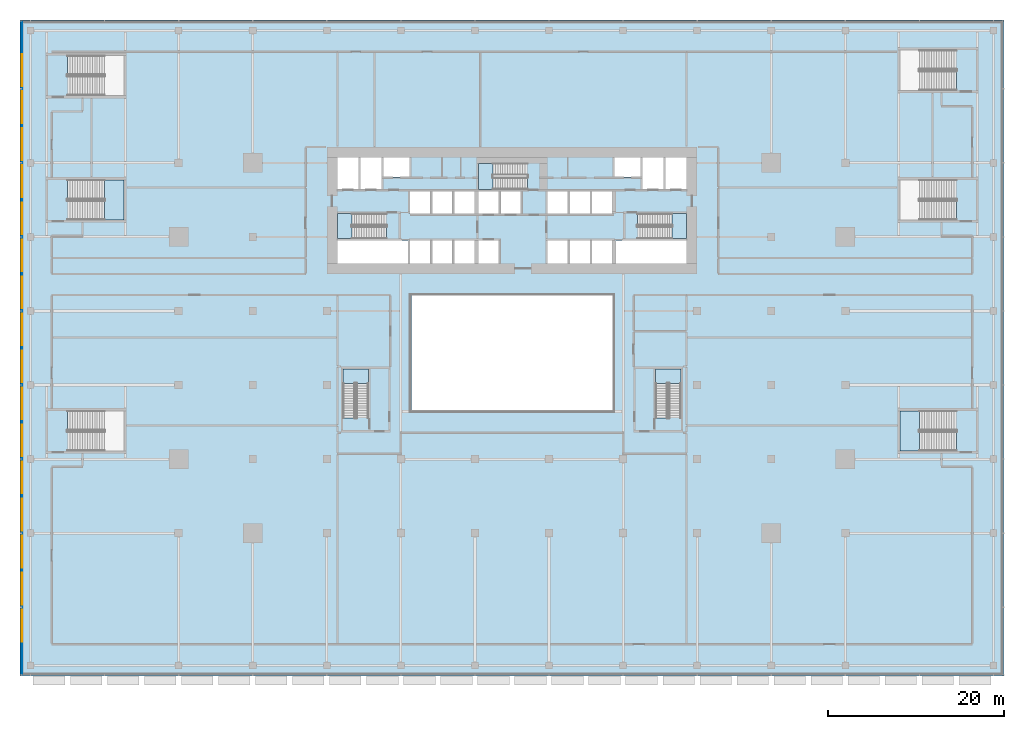
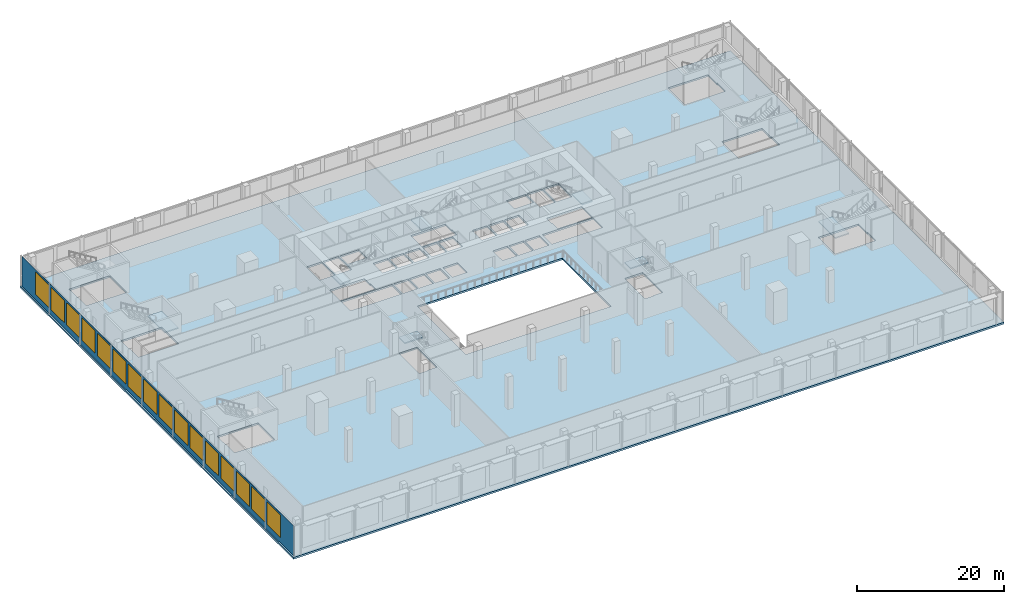
# One storey, part 23 of 39: 16 windows, 8 slabs, 1 plate, 16 openings, 8 elements without a shape of their own.
"""IFC4 building model written with IfcOpenShell, lengths in metres."""

from ifc_helpers import new_model, si_unit, direction, frame, frame_2d, origin, place, context, subcontext, project, spatial, polyline, rectangle, outline, extrude, material, layer, layer_set, type_object, element, fill, aggregate, save


model = new_model("IFC4")

# Units and contexts
model_context = context("Model", 3, precision=1e-05, world=origin(), true_north=direction((0.0, 1.0)))
body_context = subcontext(model_context, "Body", "Model", "MODEL_VIEW")
ifc_project = project(units=[si_unit("LENGTHUNIT", "METRE"), si_unit("AREAUNIT", "SQUARE_METRE"), si_unit("VOLUMEUNIT", "CUBIC_METRE"), si_unit("PLANEANGLEUNIT", "RADIAN"), si_unit("MASSUNIT", "GRAM", prefix="KILO")], contexts=[model_context])

# Site, building, storey
site_placement = place(None, origin())
site = spatial("IfcSite", under=ifc_project, at=site_placement, CompositionType="ELEMENT")
building_placement = place(site_placement, origin())
building = spatial("IfcBuilding", under=site, at=building_placement, Name="Saffron Gate Tower", CompositionType="ELEMENT")
storey_placement = place(building_placement, frame((0.0, 0.0, 9.0)))
storey = spatial("IfcBuildingStorey", under=building, at=storey_placement, Name="L01", CompositionType="ELEMENT", Elevation=9.0)

# Curtain wall, plate, openings, windows
ifc_material_1 = material(Name="Aluminium, bronze anodised", Category="aluminium")
curtain_wall_type = type_object("IfcCurtainWallType", Name="CWS5 curtain wall podium ring base", PredefinedType="NOTDEFINED", material=ifc_material_1)
curtain_wall_placement = place(storey_placement, origin())
curtain_wall = element("IfcCurtainWall", 1, at=curtain_wall_placement, inside=storey, type_object=curtain_wall_type, Name="CWS5 run 4", PredefinedType="NOTDEFINED")
ifc_material_2 = material(Name="Clear low-iron laminated glass", Category="glass")
ifc_layer_1 = layer(ifc_material_2, 0.028076171875)
ifc_layer_set_1 = layer_set([ifc_layer_1], Name="CWS5 fixed glass")
plate_type = type_object("IfcPlateType", Name="CWS5 fixed glass", PredefinedType="CURTAIN_PANEL", material=ifc_layer_set_1)
plate_placement = place(storey_placement, frame((32.013916015625, 89.77197265625, 0.0), z_axis=(0.0, 0.0, 1.0), x_axis=(0.0, -1.0, 0.0)))
plate = element("IfcPlate", 2, at=plate_placement, type_object=plate_type, Name="CWS5 glass panel", PredefinedType="CURTAIN_PANEL", context=body_context, shape_type="SweptSolid", body=[
    extrude(rectangle(XDim=73.944091796875, YDim=0.028076171875, at=frame_2d((36.97216796875, 0.0))), origin(), (0.0, 0.0, 1.0), 4.97998046875),
])
opening_1_placement = place(plate_placement, frame((3.672119140625, 0.0, 0.89990234375)))
opening_1 = element("IfcOpeningElement", 3, at=opening_1_placement, cuts=plate, Name="Opening W6", PredefinedType="OPENING", context=body_context, shape_type="SweptSolid", body=[
    extrude(rectangle(XDim=3.60009765625, YDim=3.72998046875, at=frame_2d((1.800048828125, 1.864990234375))), frame((0.0, 0.02392578125, 0.0), z_axis=(0.0, -1.0, 0.0), x_axis=(1.0, 0.0, 0.0)), (0.0, 0.0, 1.0), 0.048095703125),
])
opening_2_placement = place(plate_placement, frame((7.8720703125, 0.0, 0.89990234375)))
opening_2 = element("IfcOpeningElement", 4, at=opening_2_placement, cuts=plate, Name="Opening W6", PredefinedType="OPENING", context=body_context, shape_type="SweptSolid", body=[
    extrude(rectangle(XDim=3.60009765625, YDim=3.72998046875, at=frame_2d((1.800048828125, 1.864990234375))), frame((0.0, 0.02392578125, 0.0), z_axis=(0.0, -1.0, 0.0), x_axis=(1.0, 0.0, 0.0)), (0.0, 0.0, 1.0), 0.048095703125),
])
opening_3_placement = place(plate_placement, frame((12.072021484375, 0.0, 0.89990234375)))
opening_3 = element("IfcOpeningElement", 5, at=opening_3_placement, cuts=plate, Name="Opening W6", PredefinedType="OPENING", context=body_context, shape_type="SweptSolid", body=[
    extrude(rectangle(XDim=3.60009765625, YDim=3.72998046875, at=frame_2d((1.800048828125, 1.864990234375))), frame((0.0, 0.02392578125, 0.0), z_axis=(0.0, -1.0, 0.0), x_axis=(1.0, 0.0, 0.0)), (0.0, 0.0, 1.0), 0.048095703125),
])
opening_4_placement = place(plate_placement, frame((16.27197265625, 0.0, 0.89990234375)))
opening_4 = element("IfcOpeningElement", 6, at=opening_4_placement, cuts=plate, Name="Opening W6", PredefinedType="OPENING", context=body_context, shape_type="SweptSolid", body=[
    extrude(rectangle(XDim=3.60009765625, YDim=3.72998046875, at=frame_2d((1.800048828125, 1.864990234375))), frame((0.0, 0.02392578125, 0.0), z_axis=(0.0, -1.0, 0.0), x_axis=(1.0, 0.0, 0.0)), (0.0, 0.0, 1.0), 0.048095703125),
])
opening_5_placement = place(plate_placement, frame((20.471923828125, 0.0, 0.89990234375)))
opening_5 = element("IfcOpeningElement", 7, at=opening_5_placement, cuts=plate, Name="Opening W6", PredefinedType="OPENING", context=body_context, shape_type="SweptSolid", body=[
    extrude(rectangle(XDim=3.60009765625, YDim=3.72998046875, at=frame_2d((1.800048828125, 1.864990234375))), frame((0.0, 0.02392578125, 0.0), z_axis=(0.0, -1.0, 0.0), x_axis=(1.0, 0.0, 0.0)), (0.0, 0.0, 1.0), 0.048095703125),
])
opening_6_placement = place(plate_placement, frame((24.672119140625, 0.0, 0.89990234375)))
opening_6 = element("IfcOpeningElement", 8, at=opening_6_placement, cuts=plate, Name="Opening W6", PredefinedType="OPENING", context=body_context, shape_type="SweptSolid", body=[
    extrude(rectangle(XDim=3.60009765625, YDim=3.72998046875, at=frame_2d((1.800048828125, 1.864990234375))), frame((0.0, 0.02392578125, 0.0), z_axis=(0.0, -1.0, 0.0), x_axis=(1.0, 0.0, 0.0)), (0.0, 0.0, 1.0), 0.048095703125),
])
opening_7_placement = place(plate_placement, frame((28.8720703125, 0.0, 0.89990234375)))
opening_7 = element("IfcOpeningElement", 9, at=opening_7_placement, cuts=plate, Name="Opening W6", PredefinedType="OPENING", context=body_context, shape_type="SweptSolid", body=[
    extrude(rectangle(XDim=3.60009765625, YDim=3.72998046875, at=frame_2d((1.800048828125, 1.864990234375))), frame((0.0, 0.02392578125, 0.0), z_axis=(0.0, -1.0, 0.0), x_axis=(1.0, 0.0, 0.0)), (0.0, 0.0, 1.0), 0.048095703125),
])
opening_8_placement = place(plate_placement, frame((33.072021484375, 0.0, 0.89990234375)))
opening_8 = element("IfcOpeningElement", 10, at=opening_8_placement, cuts=plate, Name="Opening W6", PredefinedType="OPENING", context=body_context, shape_type="SweptSolid", body=[
    extrude(rectangle(XDim=3.60009765625, YDim=3.72998046875, at=frame_2d((1.800048828125, 1.864990234375))), frame((0.0, 0.02392578125, 0.0), z_axis=(0.0, -1.0, 0.0), x_axis=(1.0, 0.0, 0.0)), (0.0, 0.0, 1.0), 0.048095703125),
])
opening_9_placement = place(plate_placement, frame((37.27197265625, 0.0, 0.89990234375)))
opening_9 = element("IfcOpeningElement", 11, at=opening_9_placement, cuts=plate, Name="Opening W6", PredefinedType="OPENING", context=body_context, shape_type="SweptSolid", body=[
    extrude(rectangle(XDim=3.60009765625, YDim=3.72998046875, at=frame_2d((1.800048828125, 1.864990234375))), frame((0.0, 0.02392578125, 0.0), z_axis=(0.0, -1.0, 0.0), x_axis=(1.0, 0.0, 0.0)), (0.0, 0.0, 1.0), 0.048095703125),
])
opening_10_placement = place(plate_placement, frame((41.471923828125, 0.0, 0.89990234375)))
opening_10 = element("IfcOpeningElement", 12, at=opening_10_placement, cuts=plate, Name="Opening W6", PredefinedType="OPENING", context=body_context, shape_type="SweptSolid", body=[
    extrude(rectangle(XDim=3.60009765625, YDim=3.72998046875, at=frame_2d((1.800048828125, 1.864990234375))), frame((0.0, 0.02392578125, 0.0), z_axis=(0.0, -1.0, 0.0), x_axis=(1.0, 0.0, 0.0)), (0.0, 0.0, 1.0), 0.048095703125),
])
opening_11_placement = place(plate_placement, frame((45.672119140625, 0.0, 0.89990234375)))
opening_11 = element("IfcOpeningElement", 13, at=opening_11_placement, cuts=plate, Name="Opening W6", PredefinedType="OPENING", context=body_context, shape_type="SweptSolid", body=[
    extrude(rectangle(XDim=3.60009765625, YDim=3.72998046875, at=frame_2d((1.800048828125, 1.864990234375))), frame((0.0, 0.02392578125, 0.0), z_axis=(0.0, -1.0, 0.0), x_axis=(1.0, 0.0, 0.0)), (0.0, 0.0, 1.0), 0.048095703125),
])
opening_12_placement = place(plate_placement, frame((49.8720703125, 0.0, 0.89990234375)))
opening_12 = element("IfcOpeningElement", 14, at=opening_12_placement, cuts=plate, Name="Opening W6", PredefinedType="OPENING", context=body_context, shape_type="SweptSolid", body=[
    extrude(rectangle(XDim=3.60009765625, YDim=3.72998046875, at=frame_2d((1.800048828125, 1.864990234375))), frame((0.0, 0.02392578125, 0.0), z_axis=(0.0, -1.0, 0.0), x_axis=(1.0, 0.0, 0.0)), (0.0, 0.0, 1.0), 0.048095703125),
])
opening_13_placement = place(plate_placement, frame((54.072021484375, 0.0, 0.89990234375)))
opening_13 = element("IfcOpeningElement", 15, at=opening_13_placement, cuts=plate, Name="Opening W6", PredefinedType="OPENING", context=body_context, shape_type="SweptSolid", body=[
    extrude(rectangle(XDim=3.60009765625, YDim=3.72998046875, at=frame_2d((1.800048828125, 1.864990234375))), frame((0.0, 0.02392578125, 0.0), z_axis=(0.0, -1.0, 0.0), x_axis=(1.0, 0.0, 0.0)), (0.0, 0.0, 1.0), 0.048095703125),
])
opening_14_placement = place(plate_placement, frame((58.27197265625, 0.0, 0.89990234375)))
opening_14 = element("IfcOpeningElement", 16, at=opening_14_placement, cuts=plate, Name="Opening W6", PredefinedType="OPENING", context=body_context, shape_type="SweptSolid", body=[
    extrude(rectangle(XDim=3.60009765625, YDim=3.72998046875, at=frame_2d((1.800048828125, 1.864990234375))), frame((0.0, 0.02392578125, 0.0), z_axis=(0.0, -1.0, 0.0), x_axis=(1.0, 0.0, 0.0)), (0.0, 0.0, 1.0), 0.048095703125),
])
opening_15_placement = place(plate_placement, frame((62.471923828125, 0.0, 0.89990234375)))
opening_15 = element("IfcOpeningElement", 17, at=opening_15_placement, cuts=plate, Name="Opening W6", PredefinedType="OPENING", context=body_context, shape_type="SweptSolid", body=[
    extrude(rectangle(XDim=3.60009765625, YDim=3.72998046875, at=frame_2d((1.800048828125, 1.864990234375))), frame((0.0, 0.02392578125, 0.0), z_axis=(0.0, -1.0, 0.0), x_axis=(1.0, 0.0, 0.0)), (0.0, 0.0, 1.0), 0.048095703125),
])
opening_16_placement = place(plate_placement, frame((66.672119140625, 0.0, 0.89990234375)))
opening_16 = element("IfcOpeningElement", 18, at=opening_16_placement, cuts=plate, Name="Opening W6", PredefinedType="OPENING", context=body_context, shape_type="SweptSolid", body=[
    extrude(rectangle(XDim=3.60009765625, YDim=3.72998046875, at=frame_2d((1.800048828125, 1.864990234375))), frame((0.0, 0.02392578125, 0.0), z_axis=(0.0, -1.0, 0.0), x_axis=(1.0, 0.0, 0.0)), (0.0, 0.0, 1.0), 0.048095703125),
])
ifc_material_3 = material(Name="Fritted bronze-tinted laminated glass in bronze frame", Category="glass")
ifc_layer_2 = layer(ifc_material_3, 0.06005859375)
ifc_layer_set_2 = layer_set([ifc_layer_2], Name="W6 operable panel 3600x3730")
window_type = type_object("IfcWindowType", Name="W6 operable panel 3600x3730", PartitioningType="DOUBLE_PANEL_HORIZONTAL", PredefinedType="WINDOW", material=ifc_layer_set_2)
window_1_placement = place(opening_1_placement, origin())
window_1 = element("IfcWindow", 19, at=window_1_placement, type_object=window_type, Name="W6 operable panel", OverallHeight=3.72998046875, OverallWidth=3.60009765625, PartitioningType="SINGLE_PANEL", PredefinedType="WINDOW", context=body_context, shape_type="SweptSolid", body=[
    extrude(rectangle(XDim=3.60009765625, YDim=3.72998046875, at=frame_2d((1.800048828125, 1.864990234375))), frame((0.0, 0.013671875, 0.0), z_axis=(0.0, -1.0, 0.0), x_axis=(1.0, 0.0, 0.0)), (0.0, 0.0, 1.0), 0.027587890625),
])
fill(opening_1, window_1)
window_2_placement = place(opening_2_placement, origin())
window_2 = element("IfcWindow", 20, at=window_2_placement, type_object=window_type, Name="W6 operable panel", OverallHeight=3.72998046875, OverallWidth=3.60009765625, PartitioningType="SINGLE_PANEL", PredefinedType="WINDOW", context=body_context, shape_type="SweptSolid", body=[
    extrude(rectangle(XDim=3.60009765625, YDim=3.72998046875, at=frame_2d((1.800048828125, 1.864990234375))), frame((0.0, 0.013671875, 0.0), z_axis=(0.0, -1.0, 0.0), x_axis=(1.0, 0.0, 0.0)), (0.0, 0.0, 1.0), 0.027587890625),
])
fill(opening_2, window_2)
window_3_placement = place(opening_3_placement, origin())
window_3 = element("IfcWindow", 21, at=window_3_placement, type_object=window_type, Name="W6 operable panel", OverallHeight=3.72998046875, OverallWidth=3.60009765625, PartitioningType="SINGLE_PANEL", PredefinedType="WINDOW", context=body_context, shape_type="SweptSolid", body=[
    extrude(rectangle(XDim=3.60009765625, YDim=3.72998046875, at=frame_2d((1.800048828125, 1.864990234375))), frame((0.0, 0.013671875, 0.0), z_axis=(0.0, -1.0, 0.0), x_axis=(1.0, 0.0, 0.0)), (0.0, 0.0, 1.0), 0.027587890625),
])
fill(opening_3, window_3)
window_4_placement = place(opening_4_placement, origin())
window_4 = element("IfcWindow", 22, at=window_4_placement, type_object=window_type, Name="W6 operable panel", OverallHeight=3.72998046875, OverallWidth=3.60009765625, PartitioningType="SINGLE_PANEL", PredefinedType="WINDOW", context=body_context, shape_type="SweptSolid", body=[
    extrude(rectangle(XDim=3.60009765625, YDim=3.72998046875, at=frame_2d((1.800048828125, 1.864990234375))), frame((0.0, 0.013671875, 0.0), z_axis=(0.0, -1.0, 0.0), x_axis=(1.0, 0.0, 0.0)), (0.0, 0.0, 1.0), 0.027587890625),
])
fill(opening_4, window_4)
window_5_placement = place(opening_5_placement, origin())
window_5 = element("IfcWindow", 23, at=window_5_placement, type_object=window_type, Name="W6 operable panel", OverallHeight=3.72998046875, OverallWidth=3.60009765625, PartitioningType="SINGLE_PANEL", PredefinedType="WINDOW", context=body_context, shape_type="SweptSolid", body=[
    extrude(rectangle(XDim=3.60009765625, YDim=3.72998046875, at=frame_2d((1.800048828125, 1.864990234375))), frame((0.0, 0.013671875, 0.0), z_axis=(0.0, -1.0, 0.0), x_axis=(1.0, 0.0, 0.0)), (0.0, 0.0, 1.0), 0.027587890625),
])
fill(opening_5, window_5)
window_6_placement = place(opening_6_placement, origin())
window_6 = element("IfcWindow", 24, at=window_6_placement, type_object=window_type, Name="W6 operable panel", OverallHeight=3.72998046875, OverallWidth=3.60009765625, PartitioningType="SINGLE_PANEL", PredefinedType="WINDOW", context=body_context, shape_type="SweptSolid", body=[
    extrude(rectangle(XDim=3.60009765625, YDim=3.72998046875, at=frame_2d((1.800048828125, 1.864990234375))), frame((0.0, 0.013671875, 0.0), z_axis=(0.0, -1.0, 0.0), x_axis=(1.0, 0.0, 0.0)), (0.0, 0.0, 1.0), 0.027587890625),
])
fill(opening_6, window_6)
window_7_placement = place(opening_7_placement, origin())
window_7 = element("IfcWindow", 25, at=window_7_placement, type_object=window_type, Name="W6 operable panel", OverallHeight=3.72998046875, OverallWidth=3.60009765625, PartitioningType="SINGLE_PANEL", PredefinedType="WINDOW", context=body_context, shape_type="SweptSolid", body=[
    extrude(rectangle(XDim=3.60009765625, YDim=3.72998046875, at=frame_2d((1.800048828125, 1.864990234375))), frame((0.0, 0.013671875, 0.0), z_axis=(0.0, -1.0, 0.0), x_axis=(1.0, 0.0, 0.0)), (0.0, 0.0, 1.0), 0.027587890625),
])
fill(opening_7, window_7)
window_8_placement = place(opening_8_placement, origin())
window_8 = element("IfcWindow", 26, at=window_8_placement, type_object=window_type, Name="W6 operable panel", OverallHeight=3.72998046875, OverallWidth=3.60009765625, PartitioningType="SINGLE_PANEL", PredefinedType="WINDOW", context=body_context, shape_type="SweptSolid", body=[
    extrude(rectangle(XDim=3.60009765625, YDim=3.72998046875, at=frame_2d((1.800048828125, 1.864990234375))), frame((0.0, 0.013671875, 0.0), z_axis=(0.0, -1.0, 0.0), x_axis=(1.0, 0.0, 0.0)), (0.0, 0.0, 1.0), 0.027587890625),
])
fill(opening_8, window_8)
window_9_placement = place(opening_9_placement, origin())
window_9 = element("IfcWindow", 27, at=window_9_placement, type_object=window_type, Name="W6 operable panel", OverallHeight=3.72998046875, OverallWidth=3.60009765625, PartitioningType="SINGLE_PANEL", PredefinedType="WINDOW", context=body_context, shape_type="SweptSolid", body=[
    extrude(rectangle(XDim=3.60009765625, YDim=3.72998046875, at=frame_2d((1.800048828125, 1.864990234375))), frame((0.0, 0.013671875, 0.0), z_axis=(0.0, -1.0, 0.0), x_axis=(1.0, 0.0, 0.0)), (0.0, 0.0, 1.0), 0.027587890625),
])
fill(opening_9, window_9)
window_10_placement = place(opening_10_placement, origin())
window_10 = element("IfcWindow", 28, at=window_10_placement, type_object=window_type, Name="W6 operable panel", OverallHeight=3.72998046875, OverallWidth=3.60009765625, PartitioningType="SINGLE_PANEL", PredefinedType="WINDOW", context=body_context, shape_type="SweptSolid", body=[
    extrude(rectangle(XDim=3.60009765625, YDim=3.72998046875, at=frame_2d((1.800048828125, 1.864990234375))), frame((0.0, 0.013671875, 0.0), z_axis=(0.0, -1.0, 0.0), x_axis=(1.0, 0.0, 0.0)), (0.0, 0.0, 1.0), 0.027587890625),
])
fill(opening_10, window_10)
window_11_placement = place(opening_11_placement, origin())
window_11 = element("IfcWindow", 29, at=window_11_placement, type_object=window_type, Name="W6 operable panel", OverallHeight=3.72998046875, OverallWidth=3.60009765625, PartitioningType="SINGLE_PANEL", PredefinedType="WINDOW", context=body_context, shape_type="SweptSolid", body=[
    extrude(rectangle(XDim=3.60009765625, YDim=3.72998046875, at=frame_2d((1.800048828125, 1.864990234375))), frame((0.0, 0.013671875, 0.0), z_axis=(0.0, -1.0, 0.0), x_axis=(1.0, 0.0, 0.0)), (0.0, 0.0, 1.0), 0.027587890625),
])
fill(opening_11, window_11)
window_12_placement = place(opening_12_placement, origin())
window_12 = element("IfcWindow", 30, at=window_12_placement, type_object=window_type, Name="W6 operable panel", OverallHeight=3.72998046875, OverallWidth=3.60009765625, PartitioningType="SINGLE_PANEL", PredefinedType="WINDOW", context=body_context, shape_type="SweptSolid", body=[
    extrude(rectangle(XDim=3.60009765625, YDim=3.72998046875, at=frame_2d((1.800048828125, 1.864990234375))), frame((0.0, 0.013671875, 0.0), z_axis=(0.0, -1.0, 0.0), x_axis=(1.0, 0.0, 0.0)), (0.0, 0.0, 1.0), 0.027587890625),
])
fill(opening_12, window_12)
window_13_placement = place(opening_13_placement, origin())
window_13 = element("IfcWindow", 31, at=window_13_placement, type_object=window_type, Name="W6 operable panel", OverallHeight=3.72998046875, OverallWidth=3.60009765625, PartitioningType="SINGLE_PANEL", PredefinedType="WINDOW", context=body_context, shape_type="SweptSolid", body=[
    extrude(rectangle(XDim=3.60009765625, YDim=3.72998046875, at=frame_2d((1.800048828125, 1.864990234375))), frame((0.0, 0.013671875, 0.0), z_axis=(0.0, -1.0, 0.0), x_axis=(1.0, 0.0, 0.0)), (0.0, 0.0, 1.0), 0.027587890625),
])
fill(opening_13, window_13)
window_14_placement = place(opening_14_placement, origin())
window_14 = element("IfcWindow", 32, at=window_14_placement, type_object=window_type, Name="W6 operable panel", OverallHeight=3.72998046875, OverallWidth=3.60009765625, PartitioningType="SINGLE_PANEL", PredefinedType="WINDOW", context=body_context, shape_type="SweptSolid", body=[
    extrude(rectangle(XDim=3.60009765625, YDim=3.72998046875, at=frame_2d((1.800048828125, 1.864990234375))), frame((0.0, 0.013671875, 0.0), z_axis=(0.0, -1.0, 0.0), x_axis=(1.0, 0.0, 0.0)), (0.0, 0.0, 1.0), 0.027587890625),
])
fill(opening_14, window_14)
window_15_placement = place(opening_15_placement, origin())
window_15 = element("IfcWindow", 33, at=window_15_placement, type_object=window_type, Name="W6 operable panel", OverallHeight=3.72998046875, OverallWidth=3.60009765625, PartitioningType="SINGLE_PANEL", PredefinedType="WINDOW", context=body_context, shape_type="SweptSolid", body=[
    extrude(rectangle(XDim=3.60009765625, YDim=3.72998046875, at=frame_2d((1.800048828125, 1.864990234375))), frame((0.0, 0.013671875, 0.0), z_axis=(0.0, -1.0, 0.0), x_axis=(1.0, 0.0, 0.0)), (0.0, 0.0, 1.0), 0.027587890625),
])
fill(opening_15, window_15)
window_16_placement = place(opening_16_placement, origin())
window_16 = element("IfcWindow", 34, at=window_16_placement, type_object=window_type, Name="W6 operable panel", OverallHeight=3.72998046875, OverallWidth=3.60009765625, PartitioningType="SINGLE_PANEL", PredefinedType="WINDOW", context=body_context, shape_type="SweptSolid", body=[
    extrude(rectangle(XDim=3.60009765625, YDim=3.72998046875, at=frame_2d((1.800048828125, 1.864990234375))), frame((0.0, 0.013671875, 0.0), z_axis=(0.0, -1.0, 0.0), x_axis=(1.0, 0.0, 0.0)), (0.0, 0.0, 1.0), 0.027587890625),
])
fill(opening_16, window_16)
aggregate(curtain_wall, [plate, window_1, window_2, window_3, window_4, window_5, window_6, window_7, window_8, window_9, window_10, window_11, window_12, window_13, window_14, window_15, window_16])

# Slab
ifc_material_4 = material(Name="Concrete C40", Category="concrete")
ifc_layer_3 = layer(ifc_material_4, 0.300048828125)
ifc_layer_set_3 = layer_set([ifc_layer_3], Name="S3 FLOOR SLAB 300 CONCRETE C40")
slab_type_1 = type_object("IfcSlabType", Name="S3 FLOOR SLAB 300 CONCRETE C40", PredefinedType="FLOOR", material=ifc_layer_set_3)
slab_1_placement = place(storey_placement, frame((0.0, 0.0, -0.300048828125)))
element("IfcSlab", 35, at=slab_1_placement, inside=storey, type_object=slab_type_1, Name="S3 FLOOR SLAB", PredefinedType="FLOOR", context=body_context, shape_type="SweptSolid", body=[
    extrude(outline(polyline([(31.800048828125, 15.60009765625), (143.39990234375, 15.60009765625), (143.39990234375, 90.0), (31.800048828125, 90.0), (31.800048828125, 15.60009765625)]), holes=[polyline([(37.200927734375, 43.47509765625), (37.200927734375, 45.675048828125), (43.60009765625, 45.675048828125), (43.60009765625, 41.125), (37.300048828125, 41.125), (37.300048828125, 43.47509765625), (37.200927734375, 43.47509765625)]), polyline([(37.200927734375, 69.675048828125), (37.200927734375, 71.875), (43.60009765625, 71.875), (43.60009765625, 67.324951171875), (37.300048828125, 67.324951171875), (37.300048828125, 69.675048828125), (37.200927734375, 69.675048828125)]), polyline([(37.200927734375, 83.77490234375), (37.200927734375, 85.97509765625), (43.60009765625, 85.97509765625), (43.60009765625, 81.425048828125), (37.300048828125, 81.425048828125), (37.300048828125, 83.77490234375), (37.200927734375, 83.77490234375)]), polyline([(67.800048828125, 62.39990234375), (67.800048828125, 65.0), (75.800048828125, 65.0), (75.800048828125, 62.39990234375), (67.800048828125, 62.39990234375)]), polyline([(67.800048828125, 65.199951171875), (67.800048828125, 68.050048828125), (73.25, 68.050048828125), (73.25, 66.550048828125), (73.34912109375, 66.550048828125), (73.34912109375, 65.199951171875), (67.800048828125, 65.199951171875)]), polyline([(67.800048828125, 70.800048828125), (67.800048828125, 74.39990234375), (70.199951171875, 74.39990234375), (70.199951171875, 70.800048828125), (67.800048828125, 70.800048828125)]), polyline([(68.449951171875, 44.85107421875), (68.449951171875, 50.39990234375), (71.300048828125, 50.39990234375), (71.300048828125, 44.949951171875), (69.800048828125, 44.949951171875), (69.800048828125, 44.85107421875), (68.449951171875, 44.85107421875)]), polyline([(70.39990234375, 70.800048828125), (70.39990234375, 74.39990234375), (72.800048828125, 74.39990234375), (72.800048828125, 70.800048828125), (70.39990234375, 70.800048828125)]), polyline([(73.0, 72.199951171875), (73.0, 74.39990234375), (76.0, 74.39990234375), (76.0, 72.199951171875), (73.0, 72.199951171875)]), polyline([(76.050048828125, 62.39990234375), (76.050048828125, 65.0), (78.35009765625, 65.0), (78.35009765625, 62.39990234375), (76.050048828125, 62.39990234375)]), polyline([(76.050048828125, 68.0), (76.050048828125, 70.60009765625), (78.35009765625, 70.60009765625), (78.35009765625, 68.0), (76.050048828125, 68.0)]), polyline([(76.199951171875, 45.60009765625), (76.199951171875, 58.800048828125), (99.0, 58.800048828125), (99.0, 45.60009765625), (76.199951171875, 45.60009765625)]), polyline([(78.550048828125, 62.39990234375), (78.550048828125, 65.0), (80.85009765625, 65.0), (80.85009765625, 62.39990234375), (78.550048828125, 62.39990234375)]), polyline([(78.550048828125, 68.0), (78.550048828125, 70.60009765625), (80.85009765625, 70.60009765625), (80.85009765625, 68.0), (78.550048828125, 68.0)]), polyline([(81.050048828125, 62.39990234375), (81.050048828125, 65.0), (83.35009765625, 65.0), (83.35009765625, 62.39990234375), (81.050048828125, 62.39990234375)]), polyline([(81.050048828125, 68.0), (81.050048828125, 70.60009765625), (83.35009765625, 70.60009765625), (83.35009765625, 68.0), (81.050048828125, 68.0)]), polyline([(83.800048828125, 62.39990234375), (83.800048828125, 65.0), (86.10009765625, 65.0), (86.10009765625, 62.39990234375), (83.800048828125, 62.39990234375)]), polyline([(83.800048828125, 68.0), (83.800048828125, 70.60009765625), (86.10009765625, 70.60009765625), (86.10009765625, 68.0), (83.800048828125, 68.0)]), polyline([(83.800048828125, 70.800048828125), (83.800048828125, 73.75), (89.25, 73.75), (89.25, 72.14990234375), (89.34912109375, 72.14990234375), (89.34912109375, 70.800048828125), (83.800048828125, 70.800048828125)]), polyline([(86.300048828125, 68.0), (86.300048828125, 70.60009765625), (88.60009765625, 70.60009765625), (88.60009765625, 68.0), (86.300048828125, 68.0)]), polyline([(91.64990234375, 62.39990234375), (91.64990234375, 65.0), (93.949951171875, 65.0), (93.949951171875, 62.39990234375), (91.64990234375, 62.39990234375)]), polyline([(91.64990234375, 68.0), (91.64990234375, 70.60009765625), (93.949951171875, 70.60009765625), (93.949951171875, 68.0), (91.64990234375, 68.0)]), polyline([(94.14990234375, 62.39990234375), (94.14990234375, 65.0), (96.449951171875, 65.0), (96.449951171875, 62.39990234375), (94.14990234375, 62.39990234375)]), polyline([(94.14990234375, 68.0), (94.14990234375, 70.60009765625), (96.449951171875, 70.60009765625), (96.449951171875, 68.0), (94.14990234375, 68.0)]), polyline([(96.64990234375, 62.39990234375), (96.64990234375, 65.0), (98.949951171875, 65.0), (98.949951171875, 62.39990234375), (96.64990234375, 62.39990234375)]), polyline([(96.64990234375, 68.0), (96.64990234375, 70.60009765625), (98.949951171875, 70.60009765625), (98.949951171875, 68.0), (96.64990234375, 68.0)]), polyline([(99.199951171875, 72.199951171875), (99.199951171875, 74.39990234375), (102.199951171875, 74.39990234375), (102.199951171875, 72.199951171875), (99.199951171875, 72.199951171875)]), polyline([(99.39990234375, 62.39990234375), (99.39990234375, 65.0), (107.39990234375, 65.0), (107.39990234375, 62.39990234375), (99.39990234375, 62.39990234375)]), polyline([(101.85107421875, 66.699951171875), (101.85107421875, 68.050048828125), (107.39990234375, 68.050048828125), (107.39990234375, 65.199951171875), (101.949951171875, 65.199951171875), (101.949951171875, 66.699951171875), (101.85107421875, 66.699951171875)]), polyline([(102.39990234375, 70.800048828125), (102.39990234375, 74.39990234375), (104.800048828125, 74.39990234375), (104.800048828125, 70.800048828125), (102.39990234375, 70.800048828125)]), polyline([(103.89990234375, 44.85107421875), (103.89990234375, 50.39990234375), (106.75, 50.39990234375), (106.75, 44.949951171875), (105.25, 44.949951171875), (105.25, 44.85107421875), (103.89990234375, 44.85107421875)]), polyline([(105.0, 70.800048828125), (105.0, 74.39990234375), (107.39990234375, 74.39990234375), (107.39990234375, 70.800048828125), (105.0, 70.800048828125)]), polyline([(131.60009765625, 41.125), (131.60009765625, 45.675048828125), (137.89990234375, 45.675048828125), (137.89990234375, 43.324951171875), (137.9990234375, 43.324951171875), (137.9990234375, 41.125), (131.60009765625, 41.125)]), polyline([(131.60009765625, 67.324951171875), (131.60009765625, 71.875), (137.89990234375, 71.875), (137.89990234375, 69.52490234375), (137.9990234375, 69.52490234375), (137.9990234375, 67.324951171875), (131.60009765625, 67.324951171875)]), polyline([(131.60009765625, 82.02490234375), (131.60009765625, 86.574951171875), (137.89990234375, 86.574951171875), (137.89990234375, 84.22509765625), (137.9990234375, 84.22509765625), (137.9990234375, 82.02490234375), (131.60009765625, 82.02490234375)])]), origin(), (0.0, 0.0, 1.0), 0.300048828125),
])

# Stair, slab
stair_type_1 = type_object("IfcStairType", Name="ST4 Stair 1350 wide, 30 risers of 180", PredefinedType="HALF_TURN_STAIR", material=ifc_material_4)
stair_1_placement = place(storey_placement, origin())
stair_1 = element("IfcStair", 36, at=stair_1_placement, inside=storey, type_object=stair_type_1, Name="L01 Exit stair A", PredefinedType="HALF_TURN_STAIR")
ifc_layer_4 = layer(ifc_material_4, 0.199951171875)
ifc_layer_set_4 = layer_set([ifc_layer_4], Name="SL1 Stair landing 200")
slab_type_2 = type_object("IfcSlabType", Name="SL1 Stair landing 200", PredefinedType="LANDING", material=ifc_layer_set_4)
slab_2_placement = place(storey_placement, frame((0.0, 0.0, 2.5)))
slab_2 = element("IfcSlab", 37, at=slab_2_placement, type_object=slab_type_2, Name="ST-A landing 1", PredefinedType="LANDING", context=body_context, shape_type="SweptSolid", body=[
    extrude(outline(polyline([(69.429931640625, 68.050048828125), (67.800048828125, 68.050048828125), (67.800048828125, 65.199951171875), (69.429931640625, 65.199951171875), (69.429931640625, 68.050048828125)])), origin(), (0.0, 0.0, 1.0), 0.199951171875),
])
aggregate(stair_1, [slab_2])

stair_2_placement = place(storey_placement, origin())
stair_2 = element("IfcStair", 38, at=stair_2_placement, inside=storey, type_object=stair_type_1, Name="L01 Exit stair B", PredefinedType="HALF_TURN_STAIR")
slab_3_placement = place(storey_placement, frame((0.0, 0.0, 2.5)))
slab_3 = element("IfcSlab", 39, at=slab_3_placement, type_object=slab_type_2, Name="ST-B landing 1", PredefinedType="LANDING", context=body_context, shape_type="SweptSolid", body=[
    extrude(outline(polyline([(105.77001953125, 65.199951171875), (107.39990234375, 65.199951171875), (107.39990234375, 68.050048828125), (105.77001953125, 68.050048828125), (105.77001953125, 65.199951171875)])), origin(), (0.0, 0.0, 1.0), 0.199951171875),
])
aggregate(stair_2, [slab_3])

stair_3_placement = place(storey_placement, origin())
stair_3 = element("IfcStair", 40, at=stair_3_placement, inside=storey, type_object=stair_type_1, Name="L01 Exit stair C", PredefinedType="HALF_TURN_STAIR")
slab_4_placement = place(storey_placement, frame((0.0, 0.0, 2.5)))
slab_4 = element("IfcSlab", 41, at=slab_4_placement, type_object=slab_type_2, Name="ST-C landing 1", PredefinedType="LANDING", context=body_context, shape_type="SweptSolid", body=[
    extrude(outline(polyline([(85.429931640625, 73.75), (83.800048828125, 73.75), (83.800048828125, 70.800048828125), (85.429931640625, 70.800048828125), (85.429931640625, 73.75)])), origin(), (0.0, 0.0, 1.0), 0.199951171875),
])
aggregate(stair_3, [slab_4])

stair_4_placement = place(storey_placement, origin())
stair_4 = element("IfcStair", 42, at=stair_4_placement, inside=storey, type_object=stair_type_1, Name="L01 Exit stair D", PredefinedType="HALF_TURN_STAIR")
slab_5_placement = place(storey_placement, frame((0.0, 0.0, 2.5)))
slab_5 = element("IfcSlab", 43, at=slab_5_placement, type_object=slab_type_2, Name="ST-D landing 1", PredefinedType="LANDING", context=body_context, shape_type="SweptSolid", body=[
    extrude(outline(polyline([(71.300048828125, 48.77001953125), (71.300048828125, 50.39990234375), (68.449951171875, 50.39990234375), (68.449951171875, 48.77001953125), (71.300048828125, 48.77001953125)])), origin(), (0.0, 0.0, 1.0), 0.199951171875),
])
aggregate(stair_4, [slab_5])

stair_5_placement = place(storey_placement, origin())
stair_5 = element("IfcStair", 44, at=stair_5_placement, inside=storey, type_object=stair_type_1, Name="L01 Exit stair E", PredefinedType="HALF_TURN_STAIR")
slab_6_placement = place(storey_placement, frame((0.0, 0.0, 2.5)))
slab_6 = element("IfcSlab", 45, at=slab_6_placement, type_object=slab_type_2, Name="ST-E landing 1", PredefinedType="LANDING", context=body_context, shape_type="SweptSolid", body=[
    extrude(outline(polyline([(106.75, 48.77001953125), (106.75, 50.39990234375), (103.89990234375, 50.39990234375), (103.89990234375, 48.77001953125), (106.75, 48.77001953125)])), origin(), (0.0, 0.0, 1.0), 0.199951171875),
])
aggregate(stair_5, [slab_6])

stair_type_2 = type_object("IfcStairType", Name="ST10 Stair 2200 wide, 32 risers of 169", PredefinedType="HALF_TURN_STAIR", material=ifc_material_4)
stair_6_placement = place(storey_placement, origin())
stair_6 = element("IfcStair", 46, at=stair_6_placement, inside=storey, type_object=stair_type_2, Name="L01 Exit stair G", PredefinedType="HALF_TURN_STAIR")
slab_7_placement = place(storey_placement, frame((0.0, 0.0, 2.5)))
slab_7 = element("IfcSlab", 47, at=slab_7_placement, type_object=slab_type_2, Name="ST-G landing 1", PredefinedType="LANDING", context=body_context, shape_type="SweptSolid", body=[
    extrude(outline(polyline([(41.39990234375, 67.324951171875), (43.60009765625, 67.324951171875), (43.60009765625, 71.875), (41.39990234375, 71.875), (41.39990234375, 67.324951171875)])), origin(), (0.0, 0.0, 1.0), 0.199951171875),
])
aggregate(stair_6, [slab_7])

stair_7_placement = place(storey_placement, origin())
stair_7 = element("IfcStair", 48, at=stair_7_placement, inside=storey, type_object=stair_type_2, Name="L01 Exit stair K", PredefinedType="HALF_TURN_STAIR")
slab_8_placement = place(storey_placement, frame((0.0, 0.0, 2.5)))
slab_8 = element("IfcSlab", 49, at=slab_8_placement, type_object=slab_type_2, Name="ST-K landing 1", PredefinedType="LANDING", context=body_context, shape_type="SweptSolid", body=[
    extrude(outline(polyline([(133.800048828125, 45.675048828125), (131.60009765625, 45.675048828125), (131.60009765625, 41.125), (133.800048828125, 41.125), (133.800048828125, 45.675048828125)])), origin(), (0.0, 0.0, 1.0), 0.199951171875),
])
aggregate(stair_7, [slab_8])

save(model, "model.ifc")
